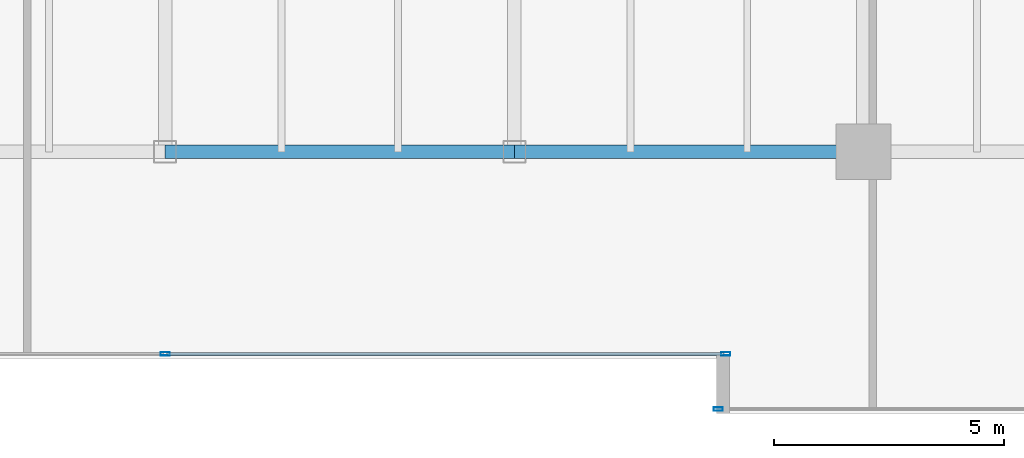
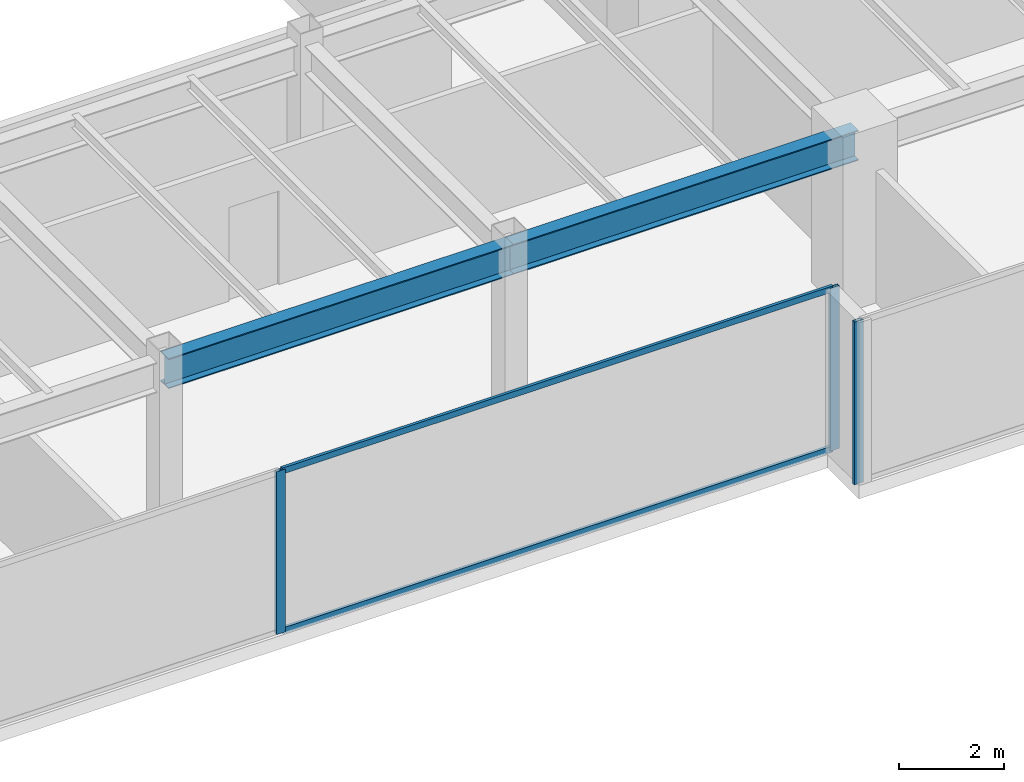
# One storey, part 10 of 30: 5 members, 2 beams, 2 elements without a shape of their own.
"""IFC4 building model written with IfcOpenShell, lengths in metres."""

from ifc_helpers import new_model, si_unit, direction, frame, origin, origin_2d, place, context, subcontext, project, spatial, hollow_rectangle, i_section, extrude, source, transform, mapped, material, layer, layer_set, material_profile, profile_set, type_object, type_shapes, element, aggregate, save


model = new_model("IFC4")

# Units and contexts
model_context = context("Model", 3, precision=1e-05, world=origin(), true_north=direction((0.0, 1.0)))
body_context = subcontext(model_context, "Body", "Model", "MODEL_VIEW")
ifc_project = project(units=[si_unit("LENGTHUNIT", "METRE"), si_unit("AREAUNIT", "SQUARE_METRE"), si_unit("VOLUMEUNIT", "CUBIC_METRE"), si_unit("PLANEANGLEUNIT", "RADIAN"), si_unit("MASSUNIT", "GRAM", prefix="KILO")], contexts=[model_context])

# Site, building, storey
site_placement = place(None, origin())
site = spatial("IfcSite", under=ifc_project, at=site_placement, CompositionType="ELEMENT")
building_placement = place(site_placement, origin())
building = spatial("IfcBuilding", under=site, at=building_placement, Name="Haelvirn Gate Laboratories", CompositionType="ELEMENT")
storey_placement = place(building_placement, frame((0.0, 0.0, 121.5)))
storey = spatial("IfcBuildingStorey", under=building, at=storey_placement, Name="L29", CompositionType="ELEMENT", Elevation=121.5)

# Beams
ifc_material_1 = material(Name="Steel SM355", Category="steel")
ifc_material_profile_1 = material_profile(ifc_material_1, i_section(OverallWidth=0.300048828125, OverallDepth=0.699951171875, WebThickness=0.012939453125, FlangeThickness=0.02392578125, at=origin_2d()), Name="H-700x300x13x24")
ifc_profile_set_1 = profile_set([ifc_material_profile_1], Name="Steel SM355")
beam_type = type_object("IfcBeamType", Name="BM-G-700", PredefinedType="BEAM", material=ifc_profile_set_1)
shared_shape_1 = source(origin(), body_context, "Body", "SweptSolid", [
    extrude(i_section(OverallWidth=0.300048828125, OverallDepth=0.699951171875, WebThickness=0.012939453125, FlangeThickness=0.02392578125, at=origin_2d()), origin(), (0.0, 0.0, 1.0), 7.60009765625),
])
type_shapes(beam_type, [shared_shape_1])
for number, where, z_axis, x_axis, name in (
    (1, (37.39990234375, 7.0, 3.43994140625), (1.0, 0.0, 0.0), (0.0, 1.0, 0.0), "L29 Primary Girder Y7.0 (37.4-45.0)"),
    (2, (45.0, 7.0, 3.43994140625), (1.0, 0.0, 0.0), (0.0, 1.0, 0.0), "L29 Primary Girder Y7.0 (45.0-52.6)"),
):
    element("IfcBeam", number, at=place(storey_placement, frame(where, z_axis=z_axis, x_axis=x_axis)), inside=storey, type_object=beam_type, Name=name, PredefinedType="BEAM", context=body_context, shape_type="MappedRepresentation", body=[
        mapped(shared_shape_1, transform((0.0, 0.0, 0.0), scale=1.0)),
    ])

# Curtain wall, members
ifc_material_2 = material(Name="Anodised bronze unitised aluminium & triple low-E glass", Category="aluminium")
ifc_layer = layer(ifc_material_2, 0.179931640625, Name="CW-SYS-3")
ifc_layer_set = layer_set([ifc_layer], Name="Anodised bronze unitised aluminium & triple low-E glass")
curtain_wall_type = type_object("IfcCurtainWallType", Name="CW-SYS-3", PredefinedType="NOTDEFINED", material=ifc_layer_set)
curtain_wall_1_placement = place(storey_placement, origin())
curtain_wall_1 = element("IfcCurtainWall", 3, at=curtain_wall_1_placement, inside=storey, type_object=curtain_wall_type, Name="L29 Unitised Curtain Wall CW-L29-P0-E02-1", PredefinedType="NOTDEFINED")
ifc_material_3 = material(Name="Extruded aluminium 6063-T6 (anodised bronze)", Category="aluminium")
ifc_material_profile_2 = material_profile(ifc_material_3, hollow_rectangle(XDim=0.06494140625, YDim=0.139892578125, WallThickness=0.00390625, at=origin_2d()), Name="CWT-140x65x4")
ifc_profile_set_2 = profile_set([ifc_material_profile_2], Name="Extruded aluminium 6063-T6 (anodised bronze)")
member_type_1 = type_object("IfcMemberType", Name="CWT-T140", PredefinedType="USERDEFINED", material=ifc_profile_set_2)
shared_shape_2 = source(origin(), body_context, "Body", "SweptSolid", [
    extrude(hollow_rectangle(XDim=0.06494140625, YDim=0.139892578125, WallThickness=0.00390625, at=origin_2d()), origin(), (0.0, 0.0, 1.0), 12.12744140625),
])
type_shapes(member_type_1, [shared_shape_2])
member_1_placement = place(storey_placement, frame((37.4375, 2.60009765625, 0.032470703125), z_axis=(1.0, 0.0, 0.0), x_axis=(0.0, 1.0, 0.0)))
member_1 = element("IfcMember", 4, at=member_1_placement, type_object=member_type_1, Name="CW3 transom 2.1", ObjectType="TRANSOM", PredefinedType="USERDEFINED", context=body_context, shape_type="MappedRepresentation", body=[
    mapped(shared_shape_2, transform((0.0, 0.0, 0.0), scale=1.0)),
])
member_2_placement = place(storey_placement, frame((37.4375, 2.60009765625, 3.757568359375), z_axis=(1.0, 0.0, 0.0), x_axis=(0.0, 1.0, 0.0)))
member_2 = element("IfcMember", 5, at=member_2_placement, type_object=member_type_1, Name="CW3 transom 2.2", ObjectType="TRANSOM", PredefinedType="USERDEFINED", context=body_context, shape_type="MappedRepresentation", body=[
    mapped(shared_shape_2, transform((0.0, 0.0, 0.0), scale=1.0)),
])
ifc_material_profile_3 = material_profile(ifc_material_3, hollow_rectangle(XDim=0.074951171875, YDim=0.199951171875, WallThickness=0.0048828125, at=origin_2d()), Name="CWM-200x75x5")
ifc_profile_set_3 = profile_set([ifc_material_profile_3], Name="Extruded aluminium 6063-T6 (anodised bronze)")
member_type_2 = type_object("IfcMemberType", Name="CWM-T200", PredefinedType="MULLION", material=ifc_profile_set_3)
shared_shape_3 = source(origin(), body_context, "Body", "SweptSolid", [
    extrude(hollow_rectangle(XDim=0.074951171875, YDim=0.199951171875, WallThickness=0.0048828125, at=origin_2d()), origin(), (0.0, 0.0, 1.0), 3.7900390625),
])
type_shapes(member_type_2, [shared_shape_3])
member_3_placement = place(storey_placement, frame((37.39990234375, 2.60009765625, 0.0), z_axis=(0.0, 0.0, 1.0), x_axis=(0.0, 1.0, 0.0)))
member_3 = element("IfcMember", 6, at=member_3_placement, type_object=member_type_2, Name="CW3 mullion 2", PredefinedType="MULLION", context=body_context, shape_type="MappedRepresentation", body=[
    mapped(shared_shape_3, transform((0.0, 0.0, 0.0), scale=1.0)),
])
member_4_placement = place(storey_placement, frame((49.6025390625, 2.60009765625, 0.0), z_axis=(0.0, 0.0, 1.0), x_axis=(0.0, 1.0, 0.0)))
member_4 = element("IfcMember", 7, at=member_4_placement, type_object=member_type_2, Name="CW3 mullion 3", PredefinedType="MULLION", context=body_context, shape_type="MappedRepresentation", body=[
    mapped(shared_shape_3, transform((0.0, 0.0, 0.0), scale=1.0)),
])
aggregate(curtain_wall_1, [member_3, member_4, member_1, member_2])

# Curtain wall, member
curtain_wall_2_placement = place(storey_placement, origin())
curtain_wall_2 = element("IfcCurtainWall", 8, at=curtain_wall_2_placement, inside=storey, type_object=curtain_wall_type, Name="L29 Unitised Curtain Wall CW-L29-P0-E04-1", PredefinedType="NOTDEFINED")
member_5_placement = place(storey_placement, frame((49.4375, 1.39990234375, 0.0), z_axis=(0.0, 0.0, 1.0), x_axis=(0.0, 1.0, 0.0)))
member_5 = element("IfcMember", 9, at=member_5_placement, type_object=member_type_2, Name="CW3 mullion 1", PredefinedType="MULLION", context=body_context, shape_type="MappedRepresentation", body=[
    mapped(shared_shape_3, transform((0.0, 0.0, 0.0), scale=1.0)),
])
aggregate(curtain_wall_2, [member_5])

save(model, "model.ifc")
